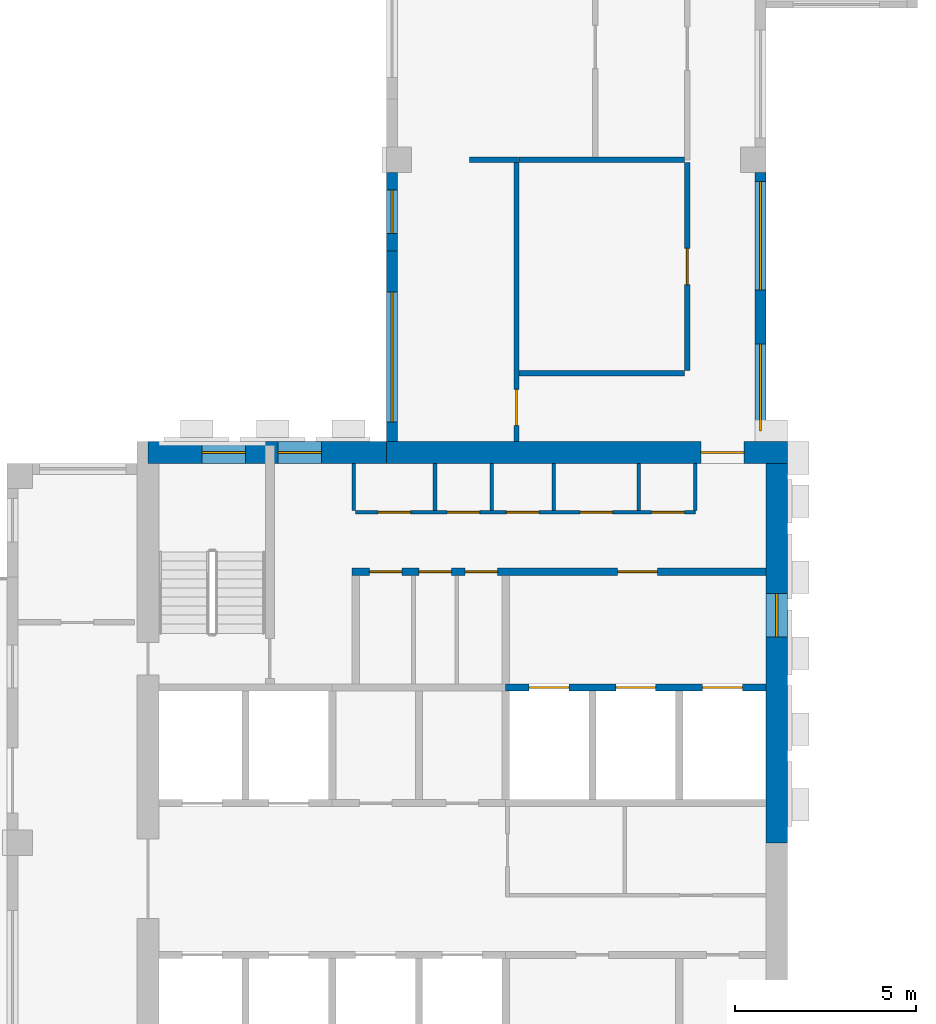
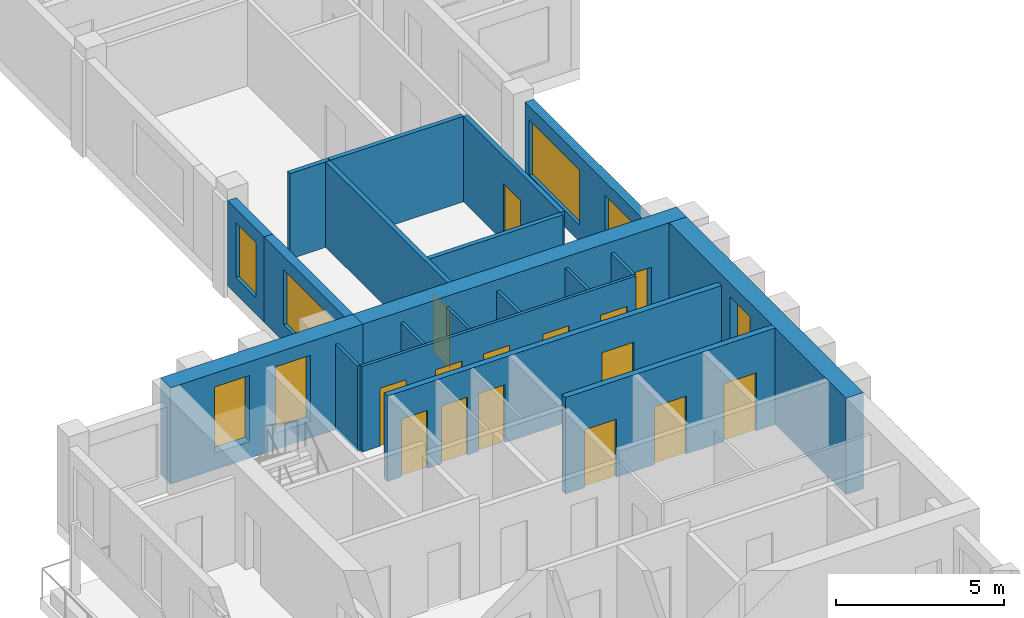
# One storey, part 3 of 9: 20 walls, 15 doors, 7 windows, 22 openings.
"""IFC4 building model written with IfcOpenShell, lengths in metres."""

from ifc_helpers import new_model, si_unit, direction, frame, frame_2d, origin, place, context, subcontext, project, spatial, rectangle, extrude, source, transform, mapped, material, layer, layer_set, type_object, element, fill, save


model = new_model("IFC4")

# Units and contexts
model_context = context("Model", 3, precision=1e-05, world=origin(), true_north=direction((0.0, 1.0)))
body_context = subcontext(model_context, "Body", "Model", "MODEL_VIEW")
ifc_project = project(units=[si_unit("LENGTHUNIT", "METRE"), si_unit("AREAUNIT", "SQUARE_METRE"), si_unit("VOLUMEUNIT", "CUBIC_METRE"), si_unit("PLANEANGLEUNIT", "RADIAN"), si_unit("MASSUNIT", "GRAM", prefix="KILO")], contexts=[model_context])

# Site, building, storey
site_placement = place(None, origin())
site = spatial("IfcSite", under=ifc_project, at=site_placement, CompositionType="ELEMENT")
building_placement = place(site_placement, origin())
building = spatial("IfcBuilding", under=site, at=building_placement, Name="Aurelian Terraces", CompositionType="ELEMENT")
storey_placement = place(building_placement, frame((0.0, 0.0, 298.5)))
storey = spatial("IfcBuildingStorey", under=building, at=storey_placement, Name="L68", CompositionType="ELEMENT", Elevation=298.5)

# Wall, opening, door
ifc_material_1 = material(Name="Concrete fc' 55 MPa", Category="concrete")
ifc_layer_1 = layer(ifc_material_1, 0.6)
ifc_layer_set_1 = layer_set([ifc_layer_1], Name="CORE WALL 600 FC55")
wall_type_1 = type_object("IfcWallType", Name="CORE WALL 600 FC55", PredefinedType="SHEAR", material=ifc_layer_set_1)
shared_shape_1 = source(origin(), body_context, "Body", "SweptSolid", [
    extrude(rectangle(XDim=11.1, YDim=0.6, at=frame_2d((5.55, 0.0))), origin(), (0.0, 0.0, 1.0), 3.5),
])
wall_1_placement = place(storey_placement, frame((10.5, 21.3, 0.0), z_axis=(0.0, 0.0, 1.0), x_axis=(1.0, 0.0, 0.0)))
wall_1 = element("IfcWall", 1, at=wall_1_placement, inside=storey, type_object=wall_type_1, Name="Core wall N L68", PredefinedType="SHEAR", context=body_context, shape_type="MappedRepresentation", body=[
    mapped(shared_shape_1, transform((0.0, 0.0, 0.0), scale=1.0)),
])
shared_shape_2 = source(origin(), body_context, "Body", "SweptSolid", [
    extrude(rectangle(XDim=1.2, YDim=2.1, at=frame_2d((0.6, 1.05))), frame((0.0, 0.31, 0.0), z_axis=(0.0, -1.0, 0.0), x_axis=(1.0, 0.0, 0.0)), (0.0, 0.0, 1.0), 0.62),
])
opening_1_placement = place(wall_1_placement, frame((8.7, 0.0, 0.0)))
opening_1 = element("IfcOpeningElement", 2, at=opening_1_placement, cuts=wall_1, Name="Opening 67132", PredefinedType="OPENING", context=body_context, shape_type="MappedRepresentation", body=[
    mapped(shared_shape_2, transform((0.0, 0.0, 0.0), scale=1.0)),
])
ifc_material_2 = material(Name="Steel door leaf", Category="steel")
door_type_1 = type_object("IfcDoorType", Name="Core fire door 1200x2100", OperationType="SINGLE_SWING_LEFT", PredefinedType="DOOR", material=ifc_material_2)
shared_shape_3 = source(origin(), body_context, "Body", "SweptSolid", [
    extrude(rectangle(XDim=1.2, YDim=2.1, at=frame_2d((0.6, 1.05))), frame((0.0, 0.025, 0.0), z_axis=(0.0, -1.0, 0.0), x_axis=(1.0, 0.0, 0.0)), (0.0, 0.0, 1.0), 0.05),
])
door_1_placement = place(opening_1_placement, origin())
door_1 = element("IfcDoor", 3, at=door_1_placement, inside=storey, type_object=door_type_1, Name="Core door 67132", OperationType="SINGLE_SWING_LEFT", OverallHeight=2.1, OverallWidth=1.2, PredefinedType="DOOR", context=body_context, shape_type="MappedRepresentation", body=[
    mapped(shared_shape_3, transform((0.0, 0.0, 0.0), scale=1.0)),
])
fill(opening_1, door_1)

# Wall, opening, window
shared_shape_4 = source(origin(), body_context, "Body", "SweptSolid", [
    extrude(rectangle(XDim=10.5, YDim=0.6, at=frame_2d((5.25, 0.0))), origin(), (0.0, 0.0, 1.0), 3.5),
])
wall_2_placement = place(storey_placement, frame((21.3, 10.5, 0.0), z_axis=(0.0, 0.0, 1.0), x_axis=(0.0, 1.0, 0.0)))
wall_2 = element("IfcWall", 4, at=wall_2_placement, inside=storey, type_object=wall_type_1, Name="Core wall E L68 exposed", PredefinedType="SHEAR", context=body_context, shape_type="MappedRepresentation", body=[
    mapped(shared_shape_4, transform((0.0, 0.0, 0.0), scale=1.0)),
])
shared_shape_5 = source(origin(), body_context, "Body", "SweptSolid", [
    extrude(rectangle(XDim=1.2, YDim=2.4, at=frame_2d((0.6, 1.2))), frame((0.0, 0.31, 0.0), z_axis=(0.0, -1.0, 0.0), x_axis=(1.0, 0.0, 0.0)), (0.0, 0.0, 1.0), 0.62),
])
opening_2_placement = place(wall_2_placement, frame((5.7, 0.0, 0.6)))
opening_2 = element("IfcOpeningElement", 5, at=opening_2_placement, cuts=wall_2, Name="Opening W-CL", PredefinedType="OPENING", context=body_context, shape_type="MappedRepresentation", body=[
    mapped(shared_shape_5, transform((0.0, 0.0, 0.0), scale=1.0)),
])
ifc_material_3 = material(Name="Fire-resisting glazing", Category="glass")
window_type_1 = type_object("IfcWindowType", Name="Core lobby window 1200x2400", PartitioningType="SINGLE_PANEL", PredefinedType="WINDOW", material=ifc_material_3)
shared_shape_6 = source(origin(), body_context, "Body", "SweptSolid", [
    extrude(rectangle(XDim=1.2, YDim=2.4, at=frame_2d((0.6, 1.2))), frame((0.0, 0.03, 0.0), z_axis=(0.0, -1.0, 0.0), x_axis=(1.0, 0.0, 0.0)), (0.0, 0.0, 1.0), 0.06),
])
window_1_placement = place(opening_2_placement, origin())
window_1 = element("IfcWindow", 6, at=window_1_placement, inside=storey, type_object=window_type_1, Name="Lobby window L68 E13", OverallHeight=2.4, OverallWidth=1.2, PartitioningType="SINGLE_PANEL", PredefinedType="WINDOW", context=body_context, shape_type="MappedRepresentation", body=[
    mapped(shared_shape_6, transform((0.0, 0.0, 0.0), scale=1.0)),
])
fill(opening_2, window_1)

# Wall, openings, windows
shared_shape_7 = source(origin(), body_context, "Body", "SweptSolid", [
    extrude(rectangle(XDim=6.6, YDim=0.6, at=frame_2d((3.3, 0.0))), origin(), (0.0, 0.0, 1.0), 3.5),
])
wall_3_placement = place(storey_placement, frame((3.9, 21.3, 0.0), z_axis=(0.0, 0.0, 1.0), x_axis=(1.0, 0.0, 0.0)))
wall_3 = element("IfcWall", 7, at=wall_3_placement, inside=storey, type_object=wall_type_1, Name="Core wall N L68 exposed", PredefinedType="SHEAR", context=body_context, shape_type="MappedRepresentation", body=[
    mapped(shared_shape_7, transform((0.0, 0.0, 0.0), scale=1.0)),
])
opening_3_placement = place(wall_3_placement, frame((1.5, 0.0, 0.6)))
opening_3 = element("IfcOpeningElement", 8, at=opening_3_placement, cuts=wall_3, Name="Opening W-CL", PredefinedType="OPENING", context=body_context, shape_type="MappedRepresentation", body=[
    mapped(shared_shape_5, transform((0.0, 0.0, 0.0), scale=1.0)),
])
opening_4_placement = place(wall_3_placement, frame((3.6, 0.0, 0.6)))
opening_4 = element("IfcOpeningElement", 9, at=opening_4_placement, cuts=wall_3, Name="Opening W-CL", PredefinedType="OPENING", context=body_context, shape_type="MappedRepresentation", body=[
    mapped(shared_shape_5, transform((0.0, 0.0, 0.0), scale=1.0)),
])
window_2_placement = place(opening_3_placement, origin())
window_2 = element("IfcWindow", 10, at=window_2_placement, inside=storey, type_object=window_type_1, Name="Lobby window L68 N14", OverallHeight=2.4, OverallWidth=1.2, PartitioningType="SINGLE_PANEL", PredefinedType="WINDOW", context=body_context, shape_type="MappedRepresentation", body=[
    mapped(shared_shape_6, transform((0.0, 0.0, 0.0), scale=1.0)),
])
fill(opening_3, window_2)
window_3_placement = place(opening_4_placement, origin())
window_3 = element("IfcWindow", 11, at=window_3_placement, inside=storey, type_object=window_type_1, Name="Lobby window L68 N15", OverallHeight=2.4, OverallWidth=1.2, PartitioningType="SINGLE_PANEL", PredefinedType="WINDOW", context=body_context, shape_type="MappedRepresentation", body=[
    mapped(shared_shape_6, transform((0.0, 0.0, 0.0), scale=1.0)),
])
fill(opening_4, window_3)

ifc_material_4 = material(Name="Terracotta rainscreen cladding", Category="masonry")
ifc_layer_2 = layer(ifc_material_4, 0.3)
ifc_layer_set_2 = layer_set([ifc_layer_2], Name="EW-300")
wall_type_2 = type_object("IfcWallType", Name="EW-300", PredefinedType="STANDARD", material=ifc_layer_set_2)
shared_shape_8 = source(origin(), body_context, "Body", "SweptSolid", [
    extrude(rectangle(XDim=7.45, YDim=0.3, at=frame_2d((3.725, 0.0))), origin(), (0.0, 0.0, 1.0), 3.1),
])
wall_4_placement = place(storey_placement, frame((20.85, 21.6, 0.0), z_axis=(0.0, 0.0, 1.0), x_axis=(0.0, 1.0, 0.0)))
wall_4 = element("IfcWall", 12, at=wall_4_placement, inside=storey, type_object=wall_type_2, Name="External wall L68 F02.7", PredefinedType="STANDARD", context=body_context, shape_type="MappedRepresentation", body=[
    mapped(shared_shape_8, transform((0.0, 0.0, 0.0), scale=1.0)),
])
shared_shape_9 = source(origin(), body_context, "Body", "SweptSolid", [
    extrude(rectangle(XDim=2.4, YDim=2.0, at=frame_2d((1.2, 1.0))), frame((0.0, 0.16, 0.0), z_axis=(0.0, -1.0, 0.0), x_axis=(1.0, 0.0, 0.0)), (0.0, 0.0, 1.0), 0.32),
])
opening_5_placement = place(wall_4_placement, frame((0.3, 0.0, 0.6)))
opening_5 = element("IfcOpeningElement", 13, at=opening_5_placement, cuts=wall_4, Name="Opening W2420", PredefinedType="OPENING", context=body_context, shape_type="MappedRepresentation", body=[
    mapped(shared_shape_9, transform((0.0, 0.0, 0.0), scale=1.0)),
])
shared_shape_10 = source(origin(), body_context, "Body", "SweptSolid", [
    extrude(rectangle(XDim=3.0, YDim=2.0, at=frame_2d((1.5, 1.0))), frame((0.0, 0.16, 0.0), z_axis=(0.0, -1.0, 0.0), x_axis=(1.0, 0.0, 0.0)), (0.0, 0.0, 1.0), 0.32),
])
opening_6_placement = place(wall_4_placement, frame((4.2, 0.0, 0.6)))
opening_6 = element("IfcOpeningElement", 14, at=opening_6_placement, cuts=wall_4, Name="Opening W3020", PredefinedType="OPENING", context=body_context, shape_type="MappedRepresentation", body=[
    mapped(shared_shape_10, transform((0.0, 0.0, 0.0), scale=1.0)),
])
ifc_material_5 = material(Name="Clear glazing", Category="glass")
window_type_2 = type_object("IfcWindowType", Name="W-3000x2000", PartitioningType="SINGLE_PANEL", PredefinedType="WINDOW", material=ifc_material_5)
shared_shape_11 = source(origin(), body_context, "Body", "SweptSolid", [
    extrude(rectangle(XDim=3.0, YDim=2.0, at=frame_2d((1.5, 1.0))), frame((0.0, 0.03, 0.0), z_axis=(0.0, -1.0, 0.0), x_axis=(1.0, 0.0, 0.0)), (0.0, 0.0, 1.0), 0.06),
])
window_4_placement = place(opening_6_placement, origin())
window_4 = element("IfcWindow", 15, at=window_4_placement, inside=storey, type_object=window_type_2, Name="Window L68 L68-F02-07-1", OverallHeight=2.0, OverallWidth=3.0, PartitioningType="SINGLE_PANEL", PredefinedType="WINDOW", context=body_context, shape_type="MappedRepresentation", body=[
    mapped(shared_shape_11, transform((0.0, 0.0, 0.0), scale=1.0)),
])
fill(opening_6, window_4)
window_type_3 = type_object("IfcWindowType", Name="W-2400x2000", PartitioningType="SINGLE_PANEL", PredefinedType="WINDOW", material=ifc_material_5)
shared_shape_12 = source(origin(), body_context, "Body", "SweptSolid", [
    extrude(rectangle(XDim=2.4, YDim=2.0, at=frame_2d((1.2, 1.0))), frame((0.0, 0.03, 0.0), z_axis=(0.0, -1.0, 0.0), x_axis=(1.0, 0.0, 0.0)), (0.0, 0.0, 1.0), 0.06),
])
window_5_placement = place(opening_5_placement, origin())
window_5 = element("IfcWindow", 16, at=window_5_placement, inside=storey, type_object=window_type_3, Name="Window L68 L68-F02-07-0", OverallHeight=2.0, OverallWidth=2.4, PartitioningType="SINGLE_PANEL", PredefinedType="WINDOW", context=body_context, shape_type="MappedRepresentation", body=[
    mapped(shared_shape_12, transform((0.0, 0.0, 0.0), scale=1.0)),
])
fill(opening_5, window_5)

# Wall, opening, window
shared_shape_13 = source(origin(), body_context, "Body", "SweptSolid", [
    extrude(rectangle(XDim=2.17, YDim=0.3, at=frame_2d((1.085, 0.0))), origin(), (0.0, 0.0, 1.0), 3.1),
])
wall_5_placement = place(storey_placement, frame((10.65, 29.05, 0.0), z_axis=(0.0, 0.0, 1.0), x_axis=(0.0, -1.0, 0.0)))
wall_5 = element("IfcWall", 17, at=wall_5_placement, inside=storey, type_object=wall_type_2, Name="External wall L68 F04.12", PredefinedType="STANDARD", context=body_context, shape_type="MappedRepresentation", body=[
    mapped(shared_shape_13, transform((0.0, 0.0, 0.0), scale=1.0)),
])
shared_shape_14 = source(origin(), body_context, "Body", "SweptSolid", [
    extrude(rectangle(XDim=1.2, YDim=2.0, at=frame_2d((0.6, 1.0))), frame((0.0, 0.16, 0.0), z_axis=(0.0, -1.0, 0.0), x_axis=(1.0, 0.0, 0.0)), (0.0, 0.0, 1.0), 0.32),
])
opening_7_placement = place(wall_5_placement, frame((0.485, 0.0, 0.6)))
opening_7 = element("IfcOpeningElement", 18, at=opening_7_placement, cuts=wall_5, Name="Opening W1220", PredefinedType="OPENING", context=body_context, shape_type="MappedRepresentation", body=[
    mapped(shared_shape_14, transform((0.0, 0.0, 0.0), scale=1.0)),
])
window_type_4 = type_object("IfcWindowType", Name="W-1200x2000", PartitioningType="SINGLE_PANEL", PredefinedType="WINDOW", material=ifc_material_5)
shared_shape_15 = source(origin(), body_context, "Body", "SweptSolid", [
    extrude(rectangle(XDim=1.2, YDim=2.0, at=frame_2d((0.6, 1.0))), frame((0.0, 0.03, 0.0), z_axis=(0.0, -1.0, 0.0), x_axis=(1.0, 0.0, 0.0)), (0.0, 0.0, 1.0), 0.06),
])
window_6_placement = place(opening_7_placement, origin())
window_6 = element("IfcWindow", 19, at=window_6_placement, inside=storey, type_object=window_type_4, Name="Window L68 L68-F04-12-P1", OverallHeight=2.0, OverallWidth=1.2, PartitioningType="SINGLE_PANEL", PredefinedType="WINDOW", context=body_context, shape_type="MappedRepresentation", body=[
    mapped(shared_shape_15, transform((0.0, 0.0, 0.0), scale=1.0)),
])
fill(opening_7, window_6)

shared_shape_16 = source(origin(), body_context, "Body", "SweptSolid", [
    extrude(rectangle(XDim=5.28, YDim=0.3, at=frame_2d((2.64, 0.0))), origin(), (0.0, 0.0, 1.0), 3.1),
])
wall_6_placement = place(storey_placement, frame((10.65, 26.88, 0.0), z_axis=(0.0, 0.0, 1.0), x_axis=(0.0, -1.0, 0.0)))
wall_6 = element("IfcWall", 20, at=wall_6_placement, inside=storey, type_object=wall_type_2, Name="External wall L68 F04.13", PredefinedType="STANDARD", context=body_context, shape_type="MappedRepresentation", body=[
    mapped(shared_shape_16, transform((0.0, 0.0, 0.0), scale=1.0)),
])
shared_shape_17 = source(origin(), body_context, "Body", "SweptSolid", [
    extrude(rectangle(XDim=3.6, YDim=2.0, at=frame_2d((1.8, 1.0))), frame((0.0, 0.16, 0.0), z_axis=(0.0, -1.0, 0.0), x_axis=(1.0, 0.0, 0.0)), (0.0, 0.0, 1.0), 0.32),
])
opening_8_placement = place(wall_6_placement, frame((1.14, 0.0, 0.6)))
opening_8 = element("IfcOpeningElement", 21, at=opening_8_placement, cuts=wall_6, Name="Opening W3620", PredefinedType="OPENING", context=body_context, shape_type="MappedRepresentation", body=[
    mapped(shared_shape_17, transform((0.0, 0.0, 0.0), scale=1.0)),
])
window_type_5 = type_object("IfcWindowType", Name="W-3600x2000", PartitioningType="SINGLE_PANEL", PredefinedType="WINDOW", material=ifc_material_5)
shared_shape_18 = source(origin(), body_context, "Body", "SweptSolid", [
    extrude(rectangle(XDim=3.6, YDim=2.0, at=frame_2d((1.8, 1.0))), frame((0.0, 0.03, 0.0), z_axis=(0.0, -1.0, 0.0), x_axis=(1.0, 0.0, 0.0)), (0.0, 0.0, 1.0), 0.06),
])
window_7_placement = place(opening_8_placement, origin())
window_7 = element("IfcWindow", 22, at=window_7_placement, inside=storey, type_object=window_type_5, Name="Window L68 L68-F04-13-0", OverallHeight=2.0, OverallWidth=3.6, PartitioningType="SINGLE_PANEL", PredefinedType="WINDOW", context=body_context, shape_type="MappedRepresentation", body=[
    mapped(shared_shape_18, transform((0.0, 0.0, 0.0), scale=1.0)),
])
fill(opening_8, window_7)

# Wall, openings, doors
ifc_material_6 = material(Name="Concrete fc' 40 MPa", Category="concrete")
ifc_layer_3 = layer(ifc_material_6, 0.2)
ifc_layer_set_3 = layer_set([ifc_layer_3], Name="Lift shaft wall 200")
wall_type_3 = type_object("IfcWallType", Name="Lift shaft wall 200", PredefinedType="SOLIDWALL", material=ifc_layer_set_3)
shared_shape_19 = source(origin(), body_context, "Body", "SweptSolid", [
    extrude(rectangle(XDim=7.2, YDim=0.2, at=frame_2d((3.6, 0.0))), origin(), (0.0, 0.0, 1.0), 3.5),
])
wall_7_placement = place(storey_placement, frame((13.8, 14.8, 0.0), z_axis=(0.0, 0.0, 1.0), x_axis=(1.0, 0.0, 0.0)))
wall_7 = element("IfcWall", 23, at=wall_7_placement, inside=storey, type_object=wall_type_3, Name="L68 core wall CF-BB3", PredefinedType="SOLIDWALL", context=body_context, shape_type="MappedRepresentation", body=[
    mapped(shared_shape_19, transform((0.0, 0.0, 0.0), scale=1.0)),
])
shared_shape_20 = source(origin(), body_context, "Body", "SweptSolid", [
    extrude(rectangle(XDim=1.1, YDim=2.1, at=frame_2d((0.55, 1.05))), frame((0.0, 0.11, 0.0), z_axis=(0.0, -1.0, 0.0), x_axis=(1.0, 0.0, 0.0)), (0.0, 0.0, 1.0), 0.22),
])
opening_9_placement = place(wall_7_placement, frame((0.65, 0.0, 0.0)))
opening_9 = element("IfcOpeningElement", 24, at=opening_9_placement, cuts=wall_7, Name="Opening 67110", PredefinedType="OPENING", context=body_context, shape_type="MappedRepresentation", body=[
    mapped(shared_shape_20, transform((0.0, 0.0, 0.0), scale=1.0)),
])
opening_10_placement = place(wall_7_placement, frame((3.05, 0.0, 0.0)))
opening_10 = element("IfcOpeningElement", 25, at=opening_10_placement, cuts=wall_7, Name="Opening 67111", PredefinedType="OPENING", context=body_context, shape_type="MappedRepresentation", body=[
    mapped(shared_shape_20, transform((0.0, 0.0, 0.0), scale=1.0)),
])
opening_11_placement = place(wall_7_placement, frame((5.45, 0.0, 0.0)))
opening_11 = element("IfcOpeningElement", 26, at=opening_11_placement, cuts=wall_7, Name="Opening 67112", PredefinedType="OPENING", context=body_context, shape_type="MappedRepresentation", body=[
    mapped(shared_shape_20, transform((0.0, 0.0, 0.0), scale=1.0)),
])
ifc_material_7 = material(Name="Stainless steel", Category="steel")
door_type_2 = type_object("IfcDoorType", Name="Lift landing door 1100x2100", OperationType="SLIDING_TO_LEFT", PredefinedType="DOOR", material=ifc_material_7)
shared_shape_21 = source(origin(), body_context, "Body", "SweptSolid", [
    extrude(rectangle(XDim=1.1, YDim=2.1, at=frame_2d((0.55, 1.05))), frame((0.0, 0.025, 0.0), z_axis=(0.0, -1.0, 0.0), x_axis=(1.0, 0.0, 0.0)), (0.0, 0.0, 1.0), 0.05),
])
door_2_placement = place(opening_9_placement, origin())
door_2 = element("IfcDoor", 27, at=door_2_placement, inside=storey, type_object=door_type_2, Name="Lift landing door F1 L68", OperationType="SLIDING_TO_LEFT", OverallHeight=2.1, OverallWidth=1.1, PredefinedType="DOOR", context=body_context, shape_type="MappedRepresentation", body=[
    mapped(shared_shape_21, transform((0.0, 0.0, 0.0), scale=1.0)),
])
fill(opening_9, door_2)
door_3_placement = place(opening_10_placement, origin())
door_3 = element("IfcDoor", 28, at=door_3_placement, inside=storey, type_object=door_type_2, Name="Lift landing door F2 L68", OperationType="SLIDING_TO_LEFT", OverallHeight=2.1, OverallWidth=1.1, PredefinedType="DOOR", context=body_context, shape_type="MappedRepresentation", body=[
    mapped(shared_shape_21, transform((0.0, 0.0, 0.0), scale=1.0)),
])
fill(opening_10, door_3)
door_4_placement = place(opening_11_placement, origin())
door_4 = element("IfcDoor", 29, at=door_4_placement, inside=storey, type_object=door_type_2, Name="Lift landing door F3 L68", OperationType="SLIDING_TO_LEFT", OverallHeight=2.1, OverallWidth=1.1, PredefinedType="DOOR", context=body_context, shape_type="MappedRepresentation", body=[
    mapped(shared_shape_21, transform((0.0, 0.0, 0.0), scale=1.0)),
])
fill(opening_11, door_4)

ifc_material_8 = material(Name="Gypsum board on steel studs", Category="steel")
ifc_layer_4 = layer(ifc_material_8, 0.2)
ifc_layer_set_4 = layer_set([ifc_layer_4], Name="Core partition 200")
wall_type_4 = type_object("IfcWallType", Name="Core partition 200", PredefinedType="PARTITIONING", material=ifc_layer_set_4)
shared_shape_22 = source(origin(), body_context, "Body", "SweptSolid", [
    extrude(rectangle(XDim=11.45, YDim=0.2, at=frame_2d((5.725, 0.0))), origin(), (0.0, 0.0, 1.0), 3.1),
])
wall_8_placement = place(storey_placement, frame((9.55, 18.0, 0.0), z_axis=(0.0, 0.0, 1.0), x_axis=(1.0, 0.0, 0.0)))
wall_8 = element("IfcWall", 30, at=wall_8_placement, inside=storey, type_object=wall_type_4, Name="L68 core wall CP-NORTH", PredefinedType="PARTITIONING", context=body_context, shape_type="MappedRepresentation", body=[
    mapped(shared_shape_22, transform((0.0, 0.0, 0.0), scale=1.0)),
])
shared_shape_23 = source(origin(), body_context, "Body", "SweptSolid", [
    extrude(rectangle(XDim=0.9, YDim=2.1, at=frame_2d((0.45, 1.05))), frame((0.0, 0.11, 0.0), z_axis=(0.0, -1.0, 0.0), x_axis=(1.0, 0.0, 0.0)), (0.0, 0.0, 1.0), 0.22),
])
opening_12_placement = place(wall_8_placement, frame((0.475, 0.0, 0.0)))
opening_12 = element("IfcOpeningElement", 31, at=opening_12_placement, cuts=wall_8, Name="Opening 67114", PredefinedType="OPENING", context=body_context, shape_type="MappedRepresentation", body=[
    mapped(shared_shape_23, transform((0.0, 0.0, 0.0), scale=1.0)),
])
opening_13_placement = place(wall_8_placement, frame((1.85, 0.0, 0.0)))
opening_13 = element("IfcOpeningElement", 32, at=opening_13_placement, cuts=wall_8, Name="Opening 67115", PredefinedType="OPENING", context=body_context, shape_type="MappedRepresentation", body=[
    mapped(shared_shape_23, transform((0.0, 0.0, 0.0), scale=1.0)),
])
opening_14_placement = place(wall_8_placement, frame((3.125, 0.0, 0.0)))
opening_14 = element("IfcOpeningElement", 33, at=opening_14_placement, cuts=wall_8, Name="Opening 67116", PredefinedType="OPENING", context=body_context, shape_type="MappedRepresentation", body=[
    mapped(shared_shape_23, transform((0.0, 0.0, 0.0), scale=1.0)),
])
opening_15_placement = place(wall_8_placement, frame((7.35, 0.0, 0.0)))
opening_15 = element("IfcOpeningElement", 34, at=opening_15_placement, cuts=wall_8, Name="Opening 67117", PredefinedType="OPENING", context=body_context, shape_type="MappedRepresentation", body=[
    mapped(shared_shape_20, transform((0.0, 0.0, 0.0), scale=1.0)),
])
door_type_3 = type_object("IfcDoorType", Name="Core service door 900x2100 right", OperationType="SINGLE_SWING_RIGHT", PredefinedType="DOOR", material=ifc_material_2)
shared_shape_24 = source(origin(), body_context, "Body", "SweptSolid", [
    extrude(rectangle(XDim=0.9, YDim=2.1, at=frame_2d((0.45, 1.05))), frame((0.0, 0.025, 0.0), z_axis=(0.0, -1.0, 0.0), x_axis=(1.0, 0.0, 0.0)), (0.0, 0.0, 1.0), 0.05),
])
door_5_placement = place(opening_12_placement, origin())
door_5 = element("IfcDoor", 35, at=door_5_placement, inside=storey, type_object=door_type_3, Name="Room door 67114", OperationType="SINGLE_SWING_RIGHT", OverallHeight=2.1, OverallWidth=0.9, PredefinedType="DOOR", context=body_context, shape_type="MappedRepresentation", body=[
    mapped(shared_shape_24, transform((0.0, 0.0, 0.0), scale=1.0)),
])
fill(opening_12, door_5)
door_type_4 = type_object("IfcDoorType", Name="Core riser door 900x2100", OperationType="SINGLE_SWING_LEFT", PredefinedType="DOOR", material=ifc_material_2)
door_6_placement = place(opening_13_placement, origin())
door_6 = element("IfcDoor", 36, at=door_6_placement, inside=storey, type_object=door_type_4, Name="Room door 67115", OperationType="SINGLE_SWING_LEFT", OverallHeight=2.1, OverallWidth=0.9, PredefinedType="DOOR", context=body_context, shape_type="MappedRepresentation", body=[
    mapped(shared_shape_24, transform((0.0, 0.0, 0.0), scale=1.0)),
])
fill(opening_13, door_6)
door_7_placement = place(opening_14_placement, origin())
door_7 = element("IfcDoor", 37, at=door_7_placement, inside=storey, type_object=door_type_3, Name="Room door 67116", OperationType="SINGLE_SWING_RIGHT", OverallHeight=2.1, OverallWidth=0.9, PredefinedType="DOOR", context=body_context, shape_type="MappedRepresentation", body=[
    mapped(shared_shape_24, transform((0.0, 0.0, 0.0), scale=1.0)),
])
fill(opening_14, door_7)
door_type_5 = type_object("IfcDoorType", Name="Core fire door 1100x2100", OperationType="SINGLE_SWING_LEFT", PredefinedType="DOOR", material=ifc_material_2)
door_8_placement = place(opening_15_placement, origin())
door_8 = element("IfcDoor", 38, at=door_8_placement, inside=storey, type_object=door_type_5, Name="Ff lobby door 67117", OperationType="SINGLE_SWING_LEFT", OverallHeight=2.1, OverallWidth=1.1, PredefinedType="DOOR", context=body_context, shape_type="MappedRepresentation", body=[
    mapped(shared_shape_21, transform((0.0, 0.0, 0.0), scale=1.0)),
])
fill(opening_15, door_8)

# Walls
ifc_layer_5 = layer(ifc_material_8, 0.1)
ifc_layer_set_5 = layer_set([ifc_layer_5], Name="Core partition 100")
wall_type_5 = type_object("IfcWallType", Name="Core partition 100", PredefinedType="PARTITIONING", material=ifc_layer_set_5)
shared_shape_25 = source(origin(), body_context, "Body", "SweptSolid", [
    extrude(rectangle(XDim=1.3, YDim=0.1, at=frame_2d((0.65, 0.0))), origin(), (0.0, 0.0, 1.0), 3.1),
])
for number, where, z_axis, x_axis, name in (
    (39, (11.8433, 19.7, 0.0), (0.0, 0.0, 1.0), (0.0, 1.0, 0.0), "L68 core wall SV-NP1"),
    (40, (13.41, 19.7, 0.0), (0.0, 0.0, 1.0), (0.0, 1.0, 0.0), "L68 core wall SV-NP2"),
    (41, (15.1333, 19.7, 0.0), (0.0, 0.0, 1.0), (0.0, 1.0, 0.0), "L68 core wall SV-NP3"),
    (42, (17.4833, 19.7, 0.0), (0.0, 0.0, 1.0), (0.0, 1.0, 0.0), "L68 core wall SV-NP4"),
    (43, (9.6, 19.7, 0.0), (0.0, 0.0, 1.0), (0.0, 1.0, 0.0), "L68 core wall SV-NW0"),
    (44, (19.05, 19.7, 0.0), (0.0, 0.0, 1.0), (0.0, 1.0, 0.0), "L68 core wall SV-NW1"),
):
    element("IfcWall", number, at=place(storey_placement, frame(where, z_axis=z_axis, x_axis=x_axis)), inside=storey, type_object=wall_type_5, Name=name, PredefinedType="PARTITIONING", context=body_context, shape_type="MappedRepresentation", body=[
        mapped(shared_shape_25, transform((0.0, 0.0, 0.0), scale=1.0)),
    ])

# Wall, openings, doors
shared_shape_26 = source(origin(), body_context, "Body", "SweptSolid", [
    extrude(rectangle(XDim=9.4, YDim=0.1, at=frame_2d((4.7, 0.0))), origin(), (0.0, 0.0, 1.0), 3.1),
])
wall_9_placement = place(storey_placement, frame((9.65, 19.65, 0.0), z_axis=(0.0, 0.0, 1.0), x_axis=(1.0, 0.0, 0.0)))
wall_9 = element("IfcWall", 45, at=wall_9_placement, inside=storey, type_object=wall_type_5, Name="L68 core wall SV-N1", PredefinedType="PARTITIONING", context=body_context, shape_type="MappedRepresentation", body=[
    mapped(shared_shape_26, transform((0.0, 0.0, 0.0), scale=1.0)),
])
shared_shape_27 = source(origin(), body_context, "Body", "SweptSolid", [
    extrude(rectangle(XDim=0.9, YDim=2.1, at=frame_2d((0.45, 1.05))), frame((0.0, 0.06, 0.0), z_axis=(0.0, -1.0, 0.0), x_axis=(1.0, 0.0, 0.0)), (0.0, 0.0, 1.0), 0.12),
])
opening_16_placement = place(wall_9_placement, frame((0.6216, 0.0, 0.0)))
opening_16 = element("IfcOpeningElement", 46, at=opening_16_placement, cuts=wall_9, Name="Opening 67118", PredefinedType="OPENING", context=body_context, shape_type="MappedRepresentation", body=[
    mapped(shared_shape_27, transform((0.0, 0.0, 0.0), scale=1.0)),
])
opening_17_placement = place(wall_9_placement, frame((2.5266, 0.0, 0.0)))
opening_17 = element("IfcOpeningElement", 47, at=opening_17_placement, cuts=wall_9, Name="Opening 67119", PredefinedType="OPENING", context=body_context, shape_type="MappedRepresentation", body=[
    mapped(shared_shape_27, transform((0.0, 0.0, 0.0), scale=1.0)),
])
opening_18_placement = place(wall_9_placement, frame((4.1717, 0.0, 0.0)))
opening_18 = element("IfcOpeningElement", 48, at=opening_18_placement, cuts=wall_9, Name="Opening 67120", PredefinedType="OPENING", context=body_context, shape_type="MappedRepresentation", body=[
    mapped(shared_shape_27, transform((0.0, 0.0, 0.0), scale=1.0)),
])
opening_19_placement = place(wall_9_placement, frame((6.2083, 0.0, 0.0)))
opening_19 = element("IfcOpeningElement", 49, at=opening_19_placement, cuts=wall_9, Name="Opening 67121", PredefinedType="OPENING", context=body_context, shape_type="MappedRepresentation", body=[
    mapped(shared_shape_27, transform((0.0, 0.0, 0.0), scale=1.0)),
])
opening_20_placement = place(wall_9_placement, frame((8.1917, 0.0, 0.0)))
opening_20 = element("IfcOpeningElement", 50, at=opening_20_placement, cuts=wall_9, Name="Opening 67122", PredefinedType="OPENING", context=body_context, shape_type="MappedRepresentation", body=[
    mapped(shared_shape_27, transform((0.0, 0.0, 0.0), scale=1.0)),
])
door_9_placement = place(opening_16_placement, origin())
door_9 = element("IfcDoor", 51, at=door_9_placement, inside=storey, type_object=door_type_3, Name="Room door 67118", OperationType="SINGLE_SWING_RIGHT", OverallHeight=2.1, OverallWidth=0.9, PredefinedType="DOOR", context=body_context, shape_type="MappedRepresentation", body=[
    mapped(shared_shape_24, transform((0.0, 0.0, 0.0), scale=1.0)),
])
fill(opening_16, door_9)
door_type_6 = type_object("IfcDoorType", Name="Core service door 900x2100", OperationType="SINGLE_SWING_LEFT", PredefinedType="DOOR", material=ifc_material_2)
door_10_placement = place(opening_17_placement, origin())
door_10 = element("IfcDoor", 52, at=door_10_placement, inside=storey, type_object=door_type_6, Name="Room door 67119", OperationType="SINGLE_SWING_LEFT", OverallHeight=2.1, OverallWidth=0.9, PredefinedType="DOOR", context=body_context, shape_type="MappedRepresentation", body=[
    mapped(shared_shape_24, transform((0.0, 0.0, 0.0), scale=1.0)),
])
fill(opening_17, door_10)
door_11_placement = place(opening_18_placement, origin())
door_11 = element("IfcDoor", 53, at=door_11_placement, inside=storey, type_object=door_type_3, Name="Room door 67120", OperationType="SINGLE_SWING_RIGHT", OverallHeight=2.1, OverallWidth=0.9, PredefinedType="DOOR", context=body_context, shape_type="MappedRepresentation", body=[
    mapped(shared_shape_24, transform((0.0, 0.0, 0.0), scale=1.0)),
])
fill(opening_18, door_11)
door_12_placement = place(opening_19_placement, origin())
door_12 = element("IfcDoor", 54, at=door_12_placement, inside=storey, type_object=door_type_6, Name="Room door 67121", OperationType="SINGLE_SWING_LEFT", OverallHeight=2.1, OverallWidth=0.9, PredefinedType="DOOR", context=body_context, shape_type="MappedRepresentation", body=[
    mapped(shared_shape_24, transform((0.0, 0.0, 0.0), scale=1.0)),
])
fill(opening_19, door_12)
door_13_placement = place(opening_20_placement, origin())
door_13 = element("IfcDoor", 55, at=door_13_placement, inside=storey, type_object=door_type_3, Name="Room door 67122", OperationType="SINGLE_SWING_RIGHT", OverallHeight=2.1, OverallWidth=0.9, PredefinedType="DOOR", context=body_context, shape_type="MappedRepresentation", body=[
    mapped(shared_shape_24, transform((0.0, 0.0, 0.0), scale=1.0)),
])
fill(opening_20, door_13)

# Walls
ifc_layer_6 = layer(ifc_material_8, 0.15)
ifc_layer_set_6 = layer_set([ifc_layer_6], Name="Partition 150")
wall_type_6 = type_object("IfcWallType", Name="Partition 150", PredefinedType="PARTITIONING", material=ifc_layer_set_6)
shared_shape_28 = source(origin(), body_context, "Body", "SweptSolid", [
    extrude(rectangle(XDim=4.575, YDim=0.15, at=frame_2d((2.2875, 0.0))), origin(), (0.0, 0.0, 1.0), 3.1),
])
for number, where, z_axis, x_axis, name in (
    (56, (14.175, 23.5, 0.0), (0.0, 0.0, 1.0), (1.0, 0.0, 0.0), "Partition"),
    (57, (18.75, 29.4, 0.0), (0.0, 0.0, 1.0), (-1.0, 0.0, 0.0), "Partition"),
):
    element("IfcWall", number, at=place(storey_placement, frame(where, z_axis=z_axis, x_axis=x_axis)), inside=storey, type_object=wall_type_6, Name=name, PredefinedType="PARTITIONING", context=body_context, shape_type="MappedRepresentation", body=[
        mapped(shared_shape_28, transform((0.0, 0.0, 0.0), scale=1.0)),
    ])

# Wall, opening, door
ifc_layer_7 = layer(ifc_material_8, 0.15)
ifc_layer_set_7 = layer_set([ifc_layer_7], Name="Fire partition 150")
wall_type_7 = type_object("IfcWallType", Name="Fire partition 150", PredefinedType="PARTITIONING", material=ifc_layer_set_7)
shared_shape_29 = source(origin(), body_context, "Body", "SweptSolid", [
    extrude(rectangle(XDim=5.75, YDim=0.15, at=frame_2d((2.875, 0.0))), origin(), (0.0, 0.0, 1.0), 3.1),
])
wall_10_placement = place(storey_placement, frame((18.825, 23.575, 0.0), z_axis=(0.0, 0.0, 1.0), x_axis=(0.0, 1.0, 0.0)))
wall_10 = element("IfcWall", 58, at=wall_10_placement, inside=storey, type_object=wall_type_7, Name="Corridor wall", PredefinedType="PARTITIONING", context=body_context, shape_type="MappedRepresentation", body=[
    mapped(shared_shape_29, transform((0.0, 0.0, 0.0), scale=1.0)),
])
shared_shape_30 = source(origin(), body_context, "Body", "SweptSolid", [
    extrude(rectangle(XDim=1.0, YDim=2.1, at=frame_2d((0.5, 1.05))), frame((0.0, 0.085, 0.0), z_axis=(0.0, -1.0, 0.0), x_axis=(1.0, 0.0, 0.0)), (0.0, 0.0, 1.0), 0.17),
])
opening_21_placement = place(wall_10_placement, frame((2.375, 0.0, 0.0)))
opening_21 = element("IfcOpeningElement", 59, at=opening_21_placement, cuts=wall_10, Name="Opening 768003", PredefinedType="OPENING", context=body_context, shape_type="MappedRepresentation", body=[
    mapped(shared_shape_30, transform((0.0, 0.0, 0.0), scale=1.0)),
])
door_type_7 = type_object("IfcDoorType", Name="Entrance fire door 1000x2100 left", OperationType="SINGLE_SWING_LEFT", PredefinedType="DOOR", material=ifc_material_2)
shared_shape_31 = source(origin(), body_context, "Body", "SweptSolid", [
    extrude(rectangle(XDim=1.0, YDim=2.1, at=frame_2d((0.5, 1.05))), frame((0.0, 0.025, 0.0), z_axis=(0.0, -1.0, 0.0), x_axis=(1.0, 0.0, 0.0)), (0.0, 0.0, 1.0), 0.05),
])
door_14_placement = place(opening_21_placement, origin())
door_14 = element("IfcDoor", 60, at=door_14_placement, inside=storey, type_object=door_type_7, Name="Door 768003", OperationType="SINGLE_SWING_LEFT", OverallHeight=2.1, OverallWidth=1.0, PredefinedType="DOOR", context=body_context, shape_type="MappedRepresentation", body=[
    mapped(shared_shape_31, transform((0.0, 0.0, 0.0), scale=1.0)),
])
fill(opening_21, door_14)

shared_shape_32 = source(origin(), body_context, "Body", "SweptSolid", [
    extrude(rectangle(XDim=7.725, YDim=0.15, at=frame_2d((3.8625, 0.0))), origin(), (0.0, 0.0, 1.0), 3.1),
])
wall_11_placement = place(storey_placement, frame((14.1, 29.325, 0.0), z_axis=(0.0, 0.0, 1.0), x_axis=(0.0, -1.0, 0.0)))
wall_11 = element("IfcWall", 61, at=wall_11_placement, inside=storey, type_object=wall_type_6, Name="Partition", PredefinedType="PARTITIONING", context=body_context, shape_type="MappedRepresentation", body=[
    mapped(shared_shape_32, transform((0.0, 0.0, 0.0), scale=1.0)),
])
opening_22_placement = place(wall_11_placement, frame((6.275, 0.0, 0.0)))
opening_22 = element("IfcOpeningElement", 62, at=opening_22_placement, cuts=wall_11, Name="Opening 768005", PredefinedType="OPENING", context=body_context, shape_type="MappedRepresentation", body=[
    mapped(shared_shape_30, transform((0.0, 0.0, 0.0), scale=1.0)),
])
ifc_material_9 = material(Name="Timber door leaf", Category="wood")
door_type_8 = type_object("IfcDoorType", Name="Room door 1000x2100 right", OperationType="SINGLE_SWING_RIGHT", PredefinedType="DOOR", material=ifc_material_9)
door_15_placement = place(opening_22_placement, origin())
door_15 = element("IfcDoor", 63, at=door_15_placement, inside=storey, type_object=door_type_8, Name="Door 768005", OperationType="SINGLE_SWING_RIGHT", OverallHeight=2.1, OverallWidth=1.0, PredefinedType="DOOR", context=body_context, shape_type="MappedRepresentation", body=[
    mapped(shared_shape_31, transform((0.0, 0.0, 0.0), scale=1.0)),
])
fill(opening_22, door_15)

# Wall
shared_shape_33 = source(origin(), body_context, "Body", "SweptSolid", [
    extrude(rectangle(XDim=1.35, YDim=0.15, at=frame_2d((0.675, 0.0))), origin(), (0.0, 0.0, 1.0), 3.1),
])
wall_12_placement = place(storey_placement, frame((14.155, 29.4, 0.0), z_axis=(0.0, 0.0, 1.0), x_axis=(-1.0, 0.0, 0.0)))
element("IfcWall", 64, at=wall_12_placement, inside=storey, type_object=wall_type_7, Name="Party wall", PredefinedType="PARTITIONING", context=body_context, shape_type="MappedRepresentation", body=[
    mapped(shared_shape_33, transform((0.0, 0.0, 0.0), scale=1.0)),
])

save(model, "model.ifc")
